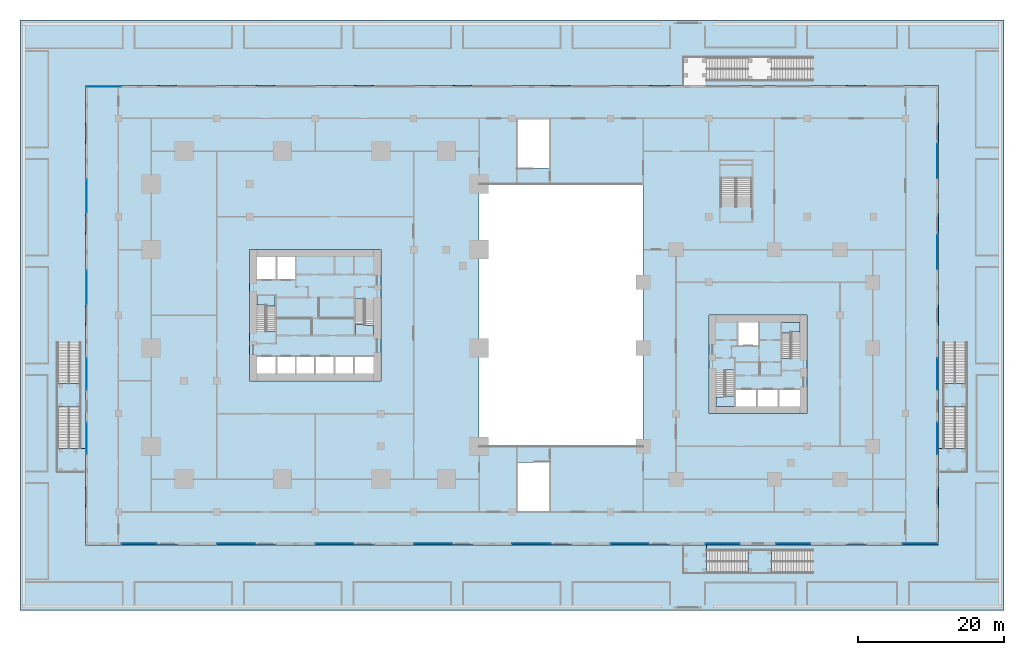
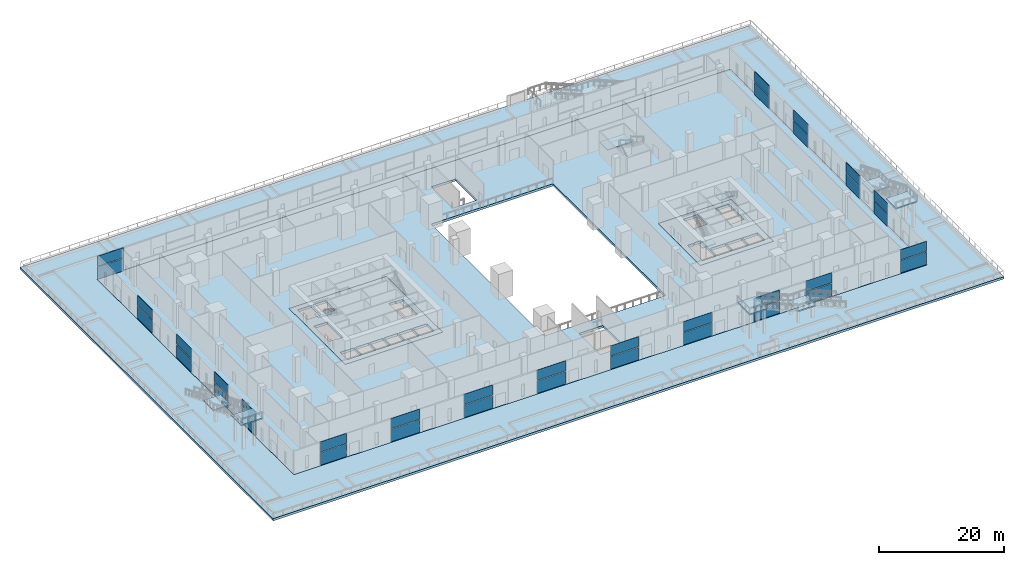
# One storey, part 25 of 49: 36 plates, 15 slabs, 26 elements without a shape of their own.
"""IFC4 building model written with IfcOpenShell, lengths in metres."""

from ifc_helpers import new_model, si_unit, direction, frame, origin, origin_2d, place, context, subcontext, project, spatial, polyline, rectangle, outline, extrude, material, layer, layer_set, type_object, element, aggregate, save


model = new_model("IFC4")

# Units and contexts
model_context = context("Model", 3, precision=1e-05, world=origin(), true_north=direction((0.0, 1.0)))
body_context = subcontext(model_context, "Body", "Model", "MODEL_VIEW")
ifc_project = project(units=[si_unit("LENGTHUNIT", "METRE"), si_unit("AREAUNIT", "SQUARE_METRE"), si_unit("VOLUMEUNIT", "CUBIC_METRE"), si_unit("PLANEANGLEUNIT", "RADIAN"), si_unit("MASSUNIT", "GRAM", prefix="KILO")], contexts=[model_context])

# Site, building, storey
site_placement = place(None, origin())
site = spatial("IfcSite", under=ifc_project, at=site_placement, CompositionType="ELEMENT")
building_placement = place(site_placement, origin())
building = spatial("IfcBuilding", under=site, at=building_placement, Name="Altepetl Exchange Towers", CompositionType="ELEMENT")
storey_placement = place(building_placement, frame((0.0, 0.0, 11.5)))
storey = spatial("IfcBuildingStorey", under=building, at=storey_placement, Name="L02 Exchange podium", CompositionType="ELEMENT", Elevation=11.5)

# Slabs
ifc_material_1 = material(Name="Concrete C40/50", Category="concrete")
ifc_layer_1 = layer(ifc_material_1, 0.5)
ifc_layer_set_1 = layer_set([ifc_layer_1], Name="Concrete C40/50")
slab_type_1 = type_object("IfcSlabType", Name="Core floor slab 500", PredefinedType="FLOOR", material=ifc_layer_set_1)
slab_1_placement = place(storey_placement, frame((0.0, 0.0, -0.5)))
element("IfcSlab", 1, at=slab_1_placement, inside=storey, type_object=slab_type_1, Name="slab:A:L02:core0", PredefinedType="FLOOR", context=body_context, shape_type="SweptSolid", body=[
    extrude(outline(polyline([(40.5, 40.5), (58.5, 40.5), (58.5, 58.5), (40.5, 58.5), (40.5, 40.5)]), holes=[polyline([(41.5, 43.800048828125), (44.06689453125, 43.800048828125), (44.06689453125, 41.5), (41.5, 41.5), (41.5, 43.800048828125)]), polyline([(44.26708984375, 43.800048828125), (46.73291015625, 43.800048828125), (46.73291015625, 41.5), (44.26708984375, 41.5), (44.26708984375, 43.800048828125)]), polyline([(46.93310546875, 43.800048828125), (49.39990234375, 43.800048828125), (49.39990234375, 41.5), (46.93310546875, 41.5), (46.93310546875, 43.800048828125)]), polyline([(52.06689453125, 43.800048828125), (52.06689453125, 41.5), (49.60009765625, 41.5), (49.60009765625, 43.800048828125), (52.06689453125, 43.800048828125)]), polyline([(54.73291015625, 43.800048828125), (54.73291015625, 41.5), (52.26708984375, 41.5), (52.26708984375, 43.800048828125), (54.73291015625, 43.800048828125)]), polyline([(54.93310546875, 43.800048828125), (57.5, 43.800048828125), (57.5, 41.5), (54.93310546875, 41.5), (54.93310546875, 43.800048828125)]), polyline([(55.0, 51.7490234375), (56.300048828125, 51.7490234375), (56.300048828125, 51.64990234375), (57.5, 51.64990234375), (57.5, 46.800048828125), (55.0, 46.800048828125), (55.0, 51.7490234375)]), polyline([(44.0, 47.2509765625), (42.699951171875, 47.2509765625), (42.699951171875, 47.35009765625), (41.5, 47.35009765625), (41.5, 52.199951171875), (44.0, 52.199951171875), (44.0, 47.2509765625)]), polyline([(44.06689453125, 57.5), (44.06689453125, 54.39990234375), (41.5, 54.39990234375), (41.5, 57.5), (44.06689453125, 57.5)]), polyline([(46.73291015625, 57.5), (46.73291015625, 54.39990234375), (44.26708984375, 54.39990234375), (44.26708984375, 57.5), (46.73291015625, 57.5)])]), origin(), (0.0, 0.0, 1.0), 0.5),
])
slab_2_placement = place(storey_placement, frame((0.0, 0.0, -0.5)))
element("IfcSlab", 2, at=slab_2_placement, inside=storey, type_object=slab_type_1, Name="slab:B:L02:core0", PredefinedType="FLOOR", context=body_context, shape_type="SweptSolid", body=[
    extrude(outline(polyline([(103.5, 36.0), (117.0, 36.0), (117.0, 49.5), (103.5, 49.5), (103.5, 36.0)]), holes=[polyline([(107.199951171875, 37.0), (107.199951171875, 39.300048828125), (110.032958984375, 39.300048828125), (110.032958984375, 37.0), (107.199951171875, 37.0)]), polyline([(110.23291015625, 39.300048828125), (112.967041015625, 39.300048828125), (112.967041015625, 37.0), (110.23291015625, 37.0), (110.23291015625, 39.300048828125)]), polyline([(113.1669921875, 39.300048828125), (116.0, 39.300048828125), (116.0, 37.0), (113.1669921875, 37.0), (113.1669921875, 39.300048828125)]), polyline([(107.0, 37.0), (104.5, 37.0), (104.5, 41.85009765625), (105.699951171875, 41.85009765625), (105.699951171875, 41.948974609375), (107.0, 41.948974609375), (107.0, 37.0)]), polyline([(116.0, 48.5), (116.0, 43.64990234375), (114.800048828125, 43.64990234375), (114.800048828125, 43.551025390625), (113.5, 43.551025390625), (113.5, 48.5), (116.0, 48.5)]), polyline([(107.532958984375, 48.5), (110.26708984375, 48.5), (110.26708984375, 45.39990234375), (107.532958984375, 45.39990234375), (107.532958984375, 48.5)])]), origin(), (0.0, 0.0, 1.0), 0.5),
])

# Stair, slabs
ifc_material_2 = material(Name="Reinforced concrete C35/45", Category="concrete")
stair_type_1 = type_object("IfcStairType", Name="Exit garden steps 3200", PredefinedType="TWO_STRAIGHT_RUN_STAIR", material=ifc_material_2)
stair_1_placement = place(storey_placement, origin())
stair_1 = element("IfcStair", 3, at=stair_1_placement, inside=storey, type_object=stair_type_1, Name="ST-G9 exit garden steps", PredefinedType="TWO_STRAIGHT_RUN_STAIR")
ifc_layer_2 = layer(ifc_material_2, 0.25)
ifc_layer_set_2 = layer_set([ifc_layer_2], Name="Reinforced concrete C35/45")
slab_type_2 = type_object("IfcSlabType", Name="Garden steps landing 250", PredefinedType="LANDING", material=ifc_layer_set_2)
slab_3_placement = place(storey_placement, frame((0.0, 0.0, 4.75)))
slab_3 = element("IfcSlab", 4, at=slab_3_placement, type_object=slab_type_2, Name="ST-G9 landing 1", PredefinedType="LANDING", context=body_context, shape_type="SweptSolid", body=[
    extrude(outline(polyline([(100.0, 18.0), (103.199951171875, 18.0), (103.199951171875, 14.10009765625), (100.0, 14.10009765625), (100.0, 18.0)])), origin(), (0.0, 0.0, 1.0), 0.25),
])
slab_4_placement = place(storey_placement, frame((0.0, 0.0, 2.25)))
slab_4 = element("IfcSlab", 5, at=slab_4_placement, type_object=slab_type_2, Name="ST-G9 landing 2", PredefinedType="LANDING", context=body_context, shape_type="SweptSolid", body=[
    extrude(outline(polyline([(108.89990234375, 17.300048828125), (112.10009765625, 17.300048828125), (112.10009765625, 14.10009765625), (108.89990234375, 14.10009765625), (108.89990234375, 17.300048828125)])), origin(), (0.0, 0.0, 1.0), 0.25),
])
aggregate(stair_1, [slab_3, slab_4])

stair_2_placement = place(storey_placement, origin())
stair_2 = element("IfcStair", 6, at=stair_2_placement, inside=storey, type_object=stair_type_1, Name="ST-G15 exit garden steps", PredefinedType="TWO_STRAIGHT_RUN_STAIR")
slab_5_placement = place(storey_placement, frame((0.0, 0.0, 4.75)))
slab_5 = element("IfcSlab", 7, at=slab_5_placement, type_object=slab_type_2, Name="ST-G15 landing 1", PredefinedType="LANDING", context=body_context, shape_type="SweptSolid", body=[
    extrude(outline(polyline([(18.0, 28.0), (18.0, 31.199951171875), (14.10009765625, 31.199951171875), (14.10009765625, 28.0), (18.0, 28.0)])), origin(), (0.0, 0.0, 1.0), 0.25),
])
slab_6_placement = place(storey_placement, frame((0.0, 0.0, 2.25)))
slab_6 = element("IfcSlab", 8, at=slab_6_placement, type_object=slab_type_2, Name="ST-G15 landing 2", PredefinedType="LANDING", context=body_context, shape_type="SweptSolid", body=[
    extrude(outline(polyline([(17.300048828125, 36.89990234375), (17.300048828125, 40.10009765625), (14.10009765625, 40.10009765625), (14.10009765625, 36.89990234375), (17.300048828125, 36.89990234375)])), origin(), (0.0, 0.0, 1.0), 0.25),
])
aggregate(stair_2, [slab_5, slab_6])

stair_3_placement = place(storey_placement, origin())
stair_3 = element("IfcStair", 9, at=stair_3_placement, inside=storey, type_object=stair_type_1, Name="ST-G16 exit garden steps", PredefinedType="TWO_STRAIGHT_RUN_STAIR")
slab_7_placement = place(storey_placement, frame((0.0, 0.0, 4.75)))
slab_7 = element("IfcSlab", 10, at=slab_7_placement, type_object=slab_type_2, Name="ST-G16 landing 1", PredefinedType="LANDING", context=body_context, shape_type="SweptSolid", body=[
    extrude(outline(polyline([(135.0, 28.0), (135.0, 31.199951171875), (138.89990234375, 31.199951171875), (138.89990234375, 28.0), (135.0, 28.0)])), origin(), (0.0, 0.0, 1.0), 0.25),
])
slab_8_placement = place(storey_placement, frame((0.0, 0.0, 2.25)))
slab_8 = element("IfcSlab", 11, at=slab_8_placement, type_object=slab_type_2, Name="ST-G16 landing 2", PredefinedType="LANDING", context=body_context, shape_type="SweptSolid", body=[
    extrude(outline(polyline([(135.699951171875, 36.89990234375), (135.699951171875, 40.10009765625), (138.89990234375, 40.10009765625), (138.89990234375, 36.89990234375), (135.699951171875, 36.89990234375)])), origin(), (0.0, 0.0, 1.0), 0.25),
])
aggregate(stair_3, [slab_7, slab_8])

# Curtain wall, plates
ifc_material_3 = material(Name="Aluminium 6063-T6 glazing", Category="aluminium")
curtain_wall_type = type_object("IfcCurtainWallType", Name="Podium storefront system", PredefinedType="NOTDEFINED", material=ifc_material_3)
curtain_wall_1_placement = place(storey_placement, origin())
curtain_wall_1 = element("IfcCurtainWall", 12, at=curtain_wall_1_placement, inside=storey, type_object=curtain_wall_type, Name="CW5 run", PredefinedType="NOTDEFINED")
ifc_material_4 = material(Name="Glass 8-16-8 toughened", Category="glass")
ifc_layer_3 = layer(ifc_material_4, 0.031982421875)
ifc_layer_set_3 = layer_set([ifc_layer_3], Name="Glass 8-16-8 toughened")
plate_type = type_object("IfcPlateType", Name="Glass panel 32 storefront", PredefinedType="CURTAIN_PANEL", material=ifc_layer_set_3)
plate_1_placement = place(storey_placement, frame((25.387451171875, 18.14990234375, 0.0)))
plate_1 = element("IfcPlate", 13, at=plate_1_placement, type_object=plate_type, Name="GP4 panel", PredefinedType="CURTAIN_PANEL", context=body_context, shape_type="SweptSolid", body=[
    extrude(rectangle(XDim=4.804931640625, YDim=0.031982421875, at=origin_2d()), origin(), (0.0, 0.0, 1.0), 2.429931640625),
])
plate_2_placement = place(storey_placement, frame((25.387451171875, 18.14990234375, 2.570068359375)))
plate_2 = element("IfcPlate", 14, at=plate_2_placement, type_object=plate_type, Name="GP4 panel", PredefinedType="CURTAIN_PANEL", context=body_context, shape_type="SweptSolid", body=[
    extrude(rectangle(XDim=4.804931640625, YDim=0.031982421875, at=origin_2d()), origin(), (0.0, 0.0, 1.0), 1.97998046875),
])
aggregate(curtain_wall_1, [plate_1, plate_2])

curtain_wall_2_placement = place(storey_placement, origin())
curtain_wall_2 = element("IfcCurtainWall", 15, at=curtain_wall_2_placement, inside=storey, type_object=curtain_wall_type, Name="CW5 run", PredefinedType="NOTDEFINED")
plate_3_placement = place(storey_placement, frame((38.675048828125, 18.14990234375, 0.0)))
plate_3 = element("IfcPlate", 16, at=plate_3_placement, type_object=plate_type, Name="GP4 panel", PredefinedType="CURTAIN_PANEL", context=body_context, shape_type="SweptSolid", body=[
    extrude(rectangle(XDim=5.22998046875, YDim=0.031982421875, at=origin_2d()), origin(), (0.0, 0.0, 1.0), 2.429931640625),
])
plate_4_placement = place(storey_placement, frame((38.675048828125, 18.14990234375, 2.570068359375)))
plate_4 = element("IfcPlate", 17, at=plate_4_placement, type_object=plate_type, Name="GP4 panel", PredefinedType="CURTAIN_PANEL", context=body_context, shape_type="SweptSolid", body=[
    extrude(rectangle(XDim=5.22998046875, YDim=0.031982421875, at=origin_2d()), origin(), (0.0, 0.0, 1.0), 1.97998046875),
])
aggregate(curtain_wall_2, [plate_3, plate_4])

curtain_wall_3_placement = place(storey_placement, origin())
curtain_wall_3 = element("IfcCurtainWall", 18, at=curtain_wall_3_placement, inside=storey, type_object=curtain_wall_type, Name="CW5 run", PredefinedType="NOTDEFINED")
plate_5_placement = place(storey_placement, frame((52.175048828125, 18.14990234375, 0.0)))
plate_5 = element("IfcPlate", 19, at=plate_5_placement, type_object=plate_type, Name="GP4 panel", PredefinedType="CURTAIN_PANEL", context=body_context, shape_type="SweptSolid", body=[
    extrude(rectangle(XDim=5.22998046875, YDim=0.031982421875, at=origin_2d()), origin(), (0.0, 0.0, 1.0), 2.429931640625),
])
plate_6_placement = place(storey_placement, frame((52.175048828125, 18.14990234375, 2.570068359375)))
plate_6 = element("IfcPlate", 20, at=plate_6_placement, type_object=plate_type, Name="GP4 panel", PredefinedType="CURTAIN_PANEL", context=body_context, shape_type="SweptSolid", body=[
    extrude(rectangle(XDim=5.22998046875, YDim=0.031982421875, at=origin_2d()), origin(), (0.0, 0.0, 1.0), 1.97998046875),
])
aggregate(curtain_wall_3, [plate_5, plate_6])

curtain_wall_4_placement = place(storey_placement, origin())
curtain_wall_4 = element("IfcCurtainWall", 21, at=curtain_wall_4_placement, inside=storey, type_object=curtain_wall_type, Name="CW5 run", PredefinedType="NOTDEFINED")
plate_7_placement = place(storey_placement, frame((65.675048828125, 18.14990234375, 0.0)))
plate_7 = element("IfcPlate", 22, at=plate_7_placement, type_object=plate_type, Name="GP4 panel", PredefinedType="CURTAIN_PANEL", context=body_context, shape_type="SweptSolid", body=[
    extrude(rectangle(XDim=5.22998046875, YDim=0.031982421875, at=origin_2d()), origin(), (0.0, 0.0, 1.0), 2.429931640625),
])
plate_8_placement = place(storey_placement, frame((65.675048828125, 18.14990234375, 2.570068359375)))
plate_8 = element("IfcPlate", 23, at=plate_8_placement, type_object=plate_type, Name="GP4 panel", PredefinedType="CURTAIN_PANEL", context=body_context, shape_type="SweptSolid", body=[
    extrude(rectangle(XDim=5.22998046875, YDim=0.031982421875, at=origin_2d()), origin(), (0.0, 0.0, 1.0), 1.97998046875),
])
aggregate(curtain_wall_4, [plate_7, plate_8])

curtain_wall_5_placement = place(storey_placement, origin())
curtain_wall_5 = element("IfcCurtainWall", 24, at=curtain_wall_5_placement, inside=storey, type_object=curtain_wall_type, Name="CW5 run", PredefinedType="NOTDEFINED")
plate_9_placement = place(storey_placement, frame((79.175048828125, 18.14990234375, 0.0)))
plate_9 = element("IfcPlate", 25, at=plate_9_placement, type_object=plate_type, Name="GP4 panel", PredefinedType="CURTAIN_PANEL", context=body_context, shape_type="SweptSolid", body=[
    extrude(rectangle(XDim=5.22998046875, YDim=0.031982421875, at=origin_2d()), origin(), (0.0, 0.0, 1.0), 2.429931640625),
])
plate_10_placement = place(storey_placement, frame((79.175048828125, 18.14990234375, 2.570068359375)))
plate_10 = element("IfcPlate", 26, at=plate_10_placement, type_object=plate_type, Name="GP4 panel", PredefinedType="CURTAIN_PANEL", context=body_context, shape_type="SweptSolid", body=[
    extrude(rectangle(XDim=5.22998046875, YDim=0.031982421875, at=origin_2d()), origin(), (0.0, 0.0, 1.0), 1.97998046875),
])
aggregate(curtain_wall_5, [plate_9, plate_10])

curtain_wall_6_placement = place(storey_placement, origin())
curtain_wall_6 = element("IfcCurtainWall", 27, at=curtain_wall_6_placement, inside=storey, type_object=curtain_wall_type, Name="CW5 run", PredefinedType="NOTDEFINED")
plate_11_placement = place(storey_placement, frame((92.675048828125, 18.14990234375, 0.0)))
plate_11 = element("IfcPlate", 28, at=plate_11_placement, type_object=plate_type, Name="GP4 panel", PredefinedType="CURTAIN_PANEL", context=body_context, shape_type="SweptSolid", body=[
    extrude(rectangle(XDim=5.22998046875, YDim=0.031982421875, at=origin_2d()), origin(), (0.0, 0.0, 1.0), 2.429931640625),
])
plate_12_placement = place(storey_placement, frame((92.675048828125, 18.14990234375, 2.570068359375)))
plate_12 = element("IfcPlate", 29, at=plate_12_placement, type_object=plate_type, Name="GP4 panel", PredefinedType="CURTAIN_PANEL", context=body_context, shape_type="SweptSolid", body=[
    extrude(rectangle(XDim=5.22998046875, YDim=0.031982421875, at=origin_2d()), origin(), (0.0, 0.0, 1.0), 1.97998046875),
])
aggregate(curtain_wall_6, [plate_11, plate_12])

curtain_wall_7_placement = place(storey_placement, origin())
curtain_wall_7 = element("IfcCurtainWall", 30, at=curtain_wall_7_placement, inside=storey, type_object=curtain_wall_type, Name="CW5 run", PredefinedType="NOTDEFINED")
plate_13_placement = place(storey_placement, frame((105.409912109375, 18.14990234375, 0.0)))
plate_13 = element("IfcPlate", 31, at=plate_13_placement, type_object=plate_type, Name="GP4 panel", PredefinedType="CURTAIN_PANEL", context=body_context, shape_type="SweptSolid", body=[
    extrude(rectangle(XDim=4.719970703125, YDim=0.031982421875, at=origin_2d()), origin(), (0.0, 0.0, 1.0), 2.429931640625),
])
plate_14_placement = place(storey_placement, frame((105.409912109375, 18.14990234375, 2.570068359375)))
plate_14 = element("IfcPlate", 32, at=plate_14_placement, type_object=plate_type, Name="GP4 panel", PredefinedType="CURTAIN_PANEL", context=body_context, shape_type="SweptSolid", body=[
    extrude(rectangle(XDim=4.719970703125, YDim=0.031982421875, at=origin_2d()), origin(), (0.0, 0.0, 1.0), 1.97998046875),
])
aggregate(curtain_wall_7, [plate_13, plate_14])

curtain_wall_8_placement = place(storey_placement, origin())
curtain_wall_8 = element("IfcCurtainWall", 33, at=curtain_wall_8_placement, inside=storey, type_object=curtain_wall_type, Name="CW5 run", PredefinedType="NOTDEFINED")
plate_15_placement = place(storey_placement, frame((115.090087890625, 18.14990234375, 0.0)))
plate_15 = element("IfcPlate", 34, at=plate_15_placement, type_object=plate_type, Name="GP4 panel", PredefinedType="CURTAIN_PANEL", context=body_context, shape_type="SweptSolid", body=[
    extrude(rectangle(XDim=4.719970703125, YDim=0.031982421875, at=origin_2d()), origin(), (0.0, 0.0, 1.0), 2.429931640625),
])
plate_16_placement = place(storey_placement, frame((115.090087890625, 18.14990234375, 2.570068359375)))
plate_16 = element("IfcPlate", 35, at=plate_16_placement, type_object=plate_type, Name="GP4 panel", PredefinedType="CURTAIN_PANEL", context=body_context, shape_type="SweptSolid", body=[
    extrude(rectangle(XDim=4.719970703125, YDim=0.031982421875, at=origin_2d()), origin(), (0.0, 0.0, 1.0), 1.97998046875),
])
aggregate(curtain_wall_8, [plate_15, plate_16])

curtain_wall_9_placement = place(storey_placement, origin())
curtain_wall_9 = element("IfcCurtainWall", 36, at=curtain_wall_9_placement, inside=storey, type_object=curtain_wall_type, Name="CW5 run", PredefinedType="NOTDEFINED")
plate_17_placement = place(storey_placement, frame((132.53759765625, 18.14990234375, 0.0)))
plate_17 = element("IfcPlate", 37, at=plate_17_placement, type_object=plate_type, Name="GP4 panel", PredefinedType="CURTAIN_PANEL", context=body_context, shape_type="SweptSolid", body=[
    extrude(rectangle(XDim=4.804931640625, YDim=0.031982421875, at=origin_2d()), origin(), (0.0, 0.0, 1.0), 2.429931640625),
])
plate_18_placement = place(storey_placement, frame((132.53759765625, 18.14990234375, 2.570068359375)))
plate_18 = element("IfcPlate", 38, at=plate_18_placement, type_object=plate_type, Name="GP4 panel", PredefinedType="CURTAIN_PANEL", context=body_context, shape_type="SweptSolid", body=[
    extrude(rectangle(XDim=4.804931640625, YDim=0.031982421875, at=origin_2d()), origin(), (0.0, 0.0, 1.0), 1.97998046875),
])
aggregate(curtain_wall_9, [plate_17, plate_18])

curtain_wall_10_placement = place(storey_placement, origin())
curtain_wall_10 = element("IfcCurtainWall", 39, at=curtain_wall_10_placement, inside=storey, type_object=curtain_wall_type, Name="CW5 run", PredefinedType="NOTDEFINED")
plate_19_placement = place(storey_placement, frame((134.85009765625, 32.594970703125, 0.0), z_axis=(0.0, 0.0, 1.0), x_axis=(0.0, 1.0, 0.0)))
plate_19 = element("IfcPlate", 40, at=plate_19_placement, type_object=plate_type, Name="GP4 panel", PredefinedType="CURTAIN_PANEL", context=body_context, shape_type="SweptSolid", body=[
    extrude(rectangle(XDim=4.31005859375, YDim=0.031982421875, at=origin_2d()), origin(), (0.0, 0.0, 1.0), 2.429931640625),
])
plate_20_placement = place(storey_placement, frame((134.85009765625, 32.594970703125, 2.570068359375), z_axis=(0.0, 0.0, 1.0), x_axis=(0.0, 1.0, 0.0)))
plate_20 = element("IfcPlate", 41, at=plate_20_placement, type_object=plate_type, Name="GP4 panel", PredefinedType="CURTAIN_PANEL", context=body_context, shape_type="SweptSolid", body=[
    extrude(rectangle(XDim=4.31005859375, YDim=0.031982421875, at=origin_2d()), origin(), (0.0, 0.0, 1.0), 1.97998046875),
])
aggregate(curtain_wall_10, [plate_19, plate_20])

curtain_wall_11_placement = place(storey_placement, origin())
curtain_wall_11 = element("IfcCurtainWall", 42, at=curtain_wall_11_placement, inside=storey, type_object=curtain_wall_type, Name="CW5 run", PredefinedType="NOTDEFINED")
plate_21_placement = place(storey_placement, frame((134.85009765625, 41.455078125, 0.0), z_axis=(0.0, 0.0, 1.0), x_axis=(0.0, 1.0, 0.0)))
plate_21 = element("IfcPlate", 43, at=plate_21_placement, type_object=plate_type, Name="GP4 panel", PredefinedType="CURTAIN_PANEL", context=body_context, shape_type="SweptSolid", body=[
    extrude(rectangle(XDim=4.31005859375, YDim=0.031982421875, at=origin_2d()), origin(), (0.0, 0.0, 1.0), 2.429931640625),
])
plate_22_placement = place(storey_placement, frame((134.85009765625, 41.455078125, 2.570068359375), z_axis=(0.0, 0.0, 1.0), x_axis=(0.0, 1.0, 0.0)))
plate_22 = element("IfcPlate", 44, at=plate_22_placement, type_object=plate_type, Name="GP4 panel", PredefinedType="CURTAIN_PANEL", context=body_context, shape_type="SweptSolid", body=[
    extrude(rectangle(XDim=4.31005859375, YDim=0.031982421875, at=origin_2d()), origin(), (0.0, 0.0, 1.0), 1.97998046875),
])
aggregate(curtain_wall_11, [plate_21, plate_22])

curtain_wall_12_placement = place(storey_placement, origin())
curtain_wall_12 = element("IfcCurtainWall", 45, at=curtain_wall_12_placement, inside=storey, type_object=curtain_wall_type, Name="CW5 run", PredefinedType="NOTDEFINED")
plate_23_placement = place(storey_placement, frame((134.85009765625, 58.175048828125, 0.0), z_axis=(0.0, 0.0, 1.0), x_axis=(0.0, 1.0, 0.0)))
plate_23 = element("IfcPlate", 46, at=plate_23_placement, type_object=plate_type, Name="GP4 panel", PredefinedType="CURTAIN_PANEL", context=body_context, shape_type="SweptSolid", body=[
    extrude(rectangle(XDim=4.72998046875, YDim=0.031982421875, at=origin_2d()), origin(), (0.0, 0.0, 1.0), 2.429931640625),
])
plate_24_placement = place(storey_placement, frame((134.85009765625, 58.175048828125, 2.570068359375), z_axis=(0.0, 0.0, 1.0), x_axis=(0.0, 1.0, 0.0)))
plate_24 = element("IfcPlate", 47, at=plate_24_placement, type_object=plate_type, Name="GP4 panel", PredefinedType="CURTAIN_PANEL", context=body_context, shape_type="SweptSolid", body=[
    extrude(rectangle(XDim=4.72998046875, YDim=0.031982421875, at=origin_2d()), origin(), (0.0, 0.0, 1.0), 1.97998046875),
])
aggregate(curtain_wall_12, [plate_23, plate_24])

curtain_wall_13_placement = place(storey_placement, origin())
curtain_wall_13 = element("IfcCurtainWall", 48, at=curtain_wall_13_placement, inside=storey, type_object=curtain_wall_type, Name="CW5 run", PredefinedType="NOTDEFINED")
plate_25_placement = place(storey_placement, frame((134.85009765625, 70.637451171875, 0.0), z_axis=(0.0, 0.0, 1.0), x_axis=(0.0, 1.0, 0.0)))
plate_25 = element("IfcPlate", 49, at=plate_25_placement, type_object=plate_type, Name="GP4 panel", PredefinedType="CURTAIN_PANEL", context=body_context, shape_type="SweptSolid", body=[
    extrude(rectangle(XDim=4.705078125, YDim=0.031982421875, at=origin_2d()), origin(), (0.0, 0.0, 1.0), 2.429931640625),
])
plate_26_placement = place(storey_placement, frame((134.85009765625, 70.637451171875, 2.570068359375), z_axis=(0.0, 0.0, 1.0), x_axis=(0.0, 1.0, 0.0)))
plate_26 = element("IfcPlate", 50, at=plate_26_placement, type_object=plate_type, Name="GP4 panel", PredefinedType="CURTAIN_PANEL", context=body_context, shape_type="SweptSolid", body=[
    extrude(rectangle(XDim=4.705078125, YDim=0.031982421875, at=origin_2d()), origin(), (0.0, 0.0, 1.0), 1.97998046875),
])
aggregate(curtain_wall_13, [plate_25, plate_26])

curtain_wall_14_placement = place(storey_placement, origin())
curtain_wall_14 = element("IfcCurtainWall", 51, at=curtain_wall_14_placement, inside=storey, type_object=curtain_wall_type, Name="CW5 run", PredefinedType="NOTDEFINED")
plate_27_placement = place(storey_placement, frame((20.46240234375, 80.85009765625, 0.0), z_axis=(0.0, 0.0, 1.0), x_axis=(-1.0, 0.0, 0.0)))
plate_27 = element("IfcPlate", 52, at=plate_27_placement, type_object=plate_type, Name="GP4 panel", PredefinedType="CURTAIN_PANEL", context=body_context, shape_type="SweptSolid", body=[
    extrude(rectangle(XDim=4.804931640625, YDim=0.031982421875, at=origin_2d()), origin(), (0.0, 0.0, 1.0), 2.429931640625),
])
plate_28_placement = place(storey_placement, frame((20.46240234375, 80.85009765625, 2.570068359375), z_axis=(0.0, 0.0, 1.0), x_axis=(-1.0, 0.0, 0.0)))
plate_28 = element("IfcPlate", 53, at=plate_28_placement, type_object=plate_type, Name="GP4 panel", PredefinedType="CURTAIN_PANEL", context=body_context, shape_type="SweptSolid", body=[
    extrude(rectangle(XDim=4.804931640625, YDim=0.031982421875, at=origin_2d()), origin(), (0.0, 0.0, 1.0), 1.97998046875),
])
aggregate(curtain_wall_14, [plate_27, plate_28])

curtain_wall_15_placement = place(storey_placement, origin())
curtain_wall_15 = element("IfcCurtainWall", 54, at=curtain_wall_15_placement, inside=storey, type_object=curtain_wall_type, Name="CW5 run", PredefinedType="NOTDEFINED")
plate_29_placement = place(storey_placement, frame((18.14990234375, 65.8125, 0.0), z_axis=(0.0, 0.0, 1.0), x_axis=(0.0, -1.0, 0.0)))
plate_29 = element("IfcPlate", 55, at=plate_29_placement, type_object=plate_type, Name="GP4 panel", PredefinedType="CURTAIN_PANEL", context=body_context, shape_type="SweptSolid", body=[
    extrude(rectangle(XDim=4.705078125, YDim=0.031982421875, at=origin_2d()), origin(), (0.0, 0.0, 1.0), 2.429931640625),
])
plate_30_placement = place(storey_placement, frame((18.14990234375, 65.8125, 2.570068359375), z_axis=(0.0, 0.0, 1.0), x_axis=(0.0, -1.0, 0.0)))
plate_30 = element("IfcPlate", 56, at=plate_30_placement, type_object=plate_type, Name="GP4 panel", PredefinedType="CURTAIN_PANEL", context=body_context, shape_type="SweptSolid", body=[
    extrude(rectangle(XDim=4.705078125, YDim=0.031982421875, at=origin_2d()), origin(), (0.0, 0.0, 1.0), 1.97998046875),
])
aggregate(curtain_wall_15, [plate_29, plate_30])

curtain_wall_16_placement = place(storey_placement, origin())
curtain_wall_16 = element("IfcCurtainWall", 57, at=curtain_wall_16_placement, inside=storey, type_object=curtain_wall_type, Name="CW5 run", PredefinedType="NOTDEFINED")
plate_31_placement = place(storey_placement, frame((18.14990234375, 53.324951171875, 0.0), z_axis=(0.0, 0.0, 1.0), x_axis=(0.0, -1.0, 0.0)))
plate_31 = element("IfcPlate", 58, at=plate_31_placement, type_object=plate_type, Name="GP4 panel", PredefinedType="CURTAIN_PANEL", context=body_context, shape_type="SweptSolid", body=[
    extrude(rectangle(XDim=4.72998046875, YDim=0.031982421875, at=origin_2d()), origin(), (0.0, 0.0, 1.0), 2.429931640625),
])
plate_32_placement = place(storey_placement, frame((18.14990234375, 53.324951171875, 2.570068359375), z_axis=(0.0, 0.0, 1.0), x_axis=(0.0, -1.0, 0.0)))
plate_32 = element("IfcPlate", 59, at=plate_32_placement, type_object=plate_type, Name="GP4 panel", PredefinedType="CURTAIN_PANEL", context=body_context, shape_type="SweptSolid", body=[
    extrude(rectangle(XDim=4.72998046875, YDim=0.031982421875, at=origin_2d()), origin(), (0.0, 0.0, 1.0), 1.97998046875),
])
aggregate(curtain_wall_16, [plate_31, plate_32])

curtain_wall_17_placement = place(storey_placement, origin())
curtain_wall_17 = element("IfcCurtainWall", 60, at=curtain_wall_17_placement, inside=storey, type_object=curtain_wall_type, Name="CW5 run", PredefinedType="NOTDEFINED")
plate_33_placement = place(storey_placement, frame((18.14990234375, 41.455078125, 0.0), z_axis=(0.0, 0.0, 1.0), x_axis=(0.0, -1.0, 0.0)))
plate_33 = element("IfcPlate", 61, at=plate_33_placement, type_object=plate_type, Name="GP4 panel", PredefinedType="CURTAIN_PANEL", context=body_context, shape_type="SweptSolid", body=[
    extrude(rectangle(XDim=4.31005859375, YDim=0.031982421875, at=origin_2d()), origin(), (0.0, 0.0, 1.0), 2.429931640625),
])
plate_34_placement = place(storey_placement, frame((18.14990234375, 41.455078125, 2.570068359375), z_axis=(0.0, 0.0, 1.0), x_axis=(0.0, -1.0, 0.0)))
plate_34 = element("IfcPlate", 62, at=plate_34_placement, type_object=plate_type, Name="GP4 panel", PredefinedType="CURTAIN_PANEL", context=body_context, shape_type="SweptSolid", body=[
    extrude(rectangle(XDim=4.31005859375, YDim=0.031982421875, at=origin_2d()), origin(), (0.0, 0.0, 1.0), 1.97998046875),
])
aggregate(curtain_wall_17, [plate_33, plate_34])

curtain_wall_18_placement = place(storey_placement, origin())
curtain_wall_18 = element("IfcCurtainWall", 63, at=curtain_wall_18_placement, inside=storey, type_object=curtain_wall_type, Name="CW5 run", PredefinedType="NOTDEFINED")
plate_35_placement = place(storey_placement, frame((18.14990234375, 32.594970703125, 0.0), z_axis=(0.0, 0.0, 1.0), x_axis=(0.0, -1.0, 0.0)))
plate_35 = element("IfcPlate", 64, at=plate_35_placement, type_object=plate_type, Name="GP4 panel", PredefinedType="CURTAIN_PANEL", context=body_context, shape_type="SweptSolid", body=[
    extrude(rectangle(XDim=4.31005859375, YDim=0.031982421875, at=origin_2d()), origin(), (0.0, 0.0, 1.0), 2.429931640625),
])
plate_36_placement = place(storey_placement, frame((18.14990234375, 32.594970703125, 2.570068359375), z_axis=(0.0, 0.0, 1.0), x_axis=(0.0, -1.0, 0.0)))
plate_36 = element("IfcPlate", 65, at=plate_36_placement, type_object=plate_type, Name="GP4 panel", PredefinedType="CURTAIN_PANEL", context=body_context, shape_type="SweptSolid", body=[
    extrude(rectangle(XDim=4.31005859375, YDim=0.031982421875, at=origin_2d()), origin(), (0.0, 0.0, 1.0), 1.97998046875),
])
aggregate(curtain_wall_18, [plate_35, plate_36])

# Slabs
ifc_layer_4 = layer(ifc_material_1, 0.449951171875)
ifc_layer_set_4 = layer_set([ifc_layer_4], Name="Concrete C40/50")
slab_type_3 = type_object("IfcSlabType", Name="Green roof slab 450", PredefinedType="ROOF", material=ifc_layer_set_4)
slab_9_placement = place(storey_placement, frame((0.0, 0.0, -0.449951171875)))
element("IfcSlab", 66, at=slab_9_placement, inside=storey, type_object=slab_type_3, Name="slab:P:L02:terrace0", PredefinedType="ROOF", context=body_context, shape_type="SweptSolid", body=[
    extrude(outline(polyline([(9.0, 9.0), (144.0, 9.0), (144.0, 90.0), (9.0, 90.0), (9.0, 9.0)]), holes=[polyline([(135.0, 81.0), (135.0, 18.0), (18.0, 18.0), (18.0, 81.0), (135.0, 81.0)])]), origin(), (0.0, 0.0, 1.0), 0.449951171875),
])
ifc_layer_5 = layer(ifc_material_1, 0.449951171875)
ifc_layer_set_5 = layer_set([ifc_layer_5], Name="Concrete C40/50")
slab_type_4 = type_object("IfcSlabType", Name="Podium flat slab 450", PredefinedType="FLOOR", material=ifc_layer_set_5)
slab_10_placement = place(storey_placement, frame((0.0, 0.0, -0.449951171875)))
element("IfcSlab", 67, at=slab_10_placement, inside=storey, type_object=slab_type_4, Name="slab:P:L02:flat0", PredefinedType="FLOOR", context=body_context, shape_type="SweptSolid", body=[
    extrude(outline(polyline([(135.0, 18.0), (135.0, 81.0), (18.0, 81.0), (18.0, 18.0), (135.0, 18.0)]), holes=[polyline([(103.5, 36.0), (103.5, 49.5), (117.0, 49.5), (117.0, 36.0), (103.5, 36.0)]), polyline([(40.5, 40.5), (40.5, 58.5), (58.5, 58.5), (58.5, 40.5), (40.5, 40.5)]), polyline([(72.0, 31.5), (72.0, 67.5), (94.5, 67.5), (94.5, 31.5), (72.0, 31.5)]), polyline([(81.699951171875, 22.5), (77.199951171875, 22.5), (77.199951171875, 29.300048828125), (81.699951171875, 29.300048828125), (81.699951171875, 22.5)]), polyline([(77.199951171875, 69.699951171875), (77.199951171875, 76.5), (81.699951171875, 76.5), (81.699951171875, 69.699951171875), (77.199951171875, 69.699951171875)])]), origin(), (0.0, 0.0, 1.0), 0.449951171875),
])

# Stair, slab
stair_type_2 = type_object("IfcStairType", Name="Exit half-turn stair 2025", PredefinedType="HALF_TURN_STAIR", material=ifc_material_2)
stair_4_placement = place(storey_placement, origin())
stair_4 = element("IfcStair", 68, at=stair_4_placement, inside=storey, type_object=stair_type_2, Name="ST-P11 stair", PredefinedType="HALF_TURN_STAIR")
ifc_layer_6 = layer(ifc_material_2, 0.199951171875)
ifc_layer_set_6 = layer_set([ifc_layer_6], Name="Reinforced concrete C35/45")
slab_type_5 = type_object("IfcSlabType", Name="Stair landing 200", PredefinedType="LANDING", material=ifc_layer_set_6)
slab_11_placement = place(storey_placement, frame((0.0, 0.0, 2.300048828125)))
slab_11 = element("IfcSlab", 69, at=slab_11_placement, type_object=slab_type_5, Name="ST-P11 landing 1", PredefinedType="LANDING", context=body_context, shape_type="SweptSolid", body=[
    extrude(outline(polyline([(105.0, 68.27001953125), (109.5, 68.27001953125), (109.5, 70.800048828125), (105.0, 70.800048828125), (105.0, 68.27001953125)])), origin(), (0.0, 0.0, 1.0), 0.199951171875),
])
aggregate(stair_4, [slab_11])

stair_type_3 = type_object("IfcStairType", Name="Exit stair 1200 flights dogleg", PredefinedType="HALF_TURN_STAIR", material=ifc_material_1)
stair_5_placement = place(storey_placement, origin())
stair_5 = element("IfcStair", 70, at=stair_5_placement, inside=storey, type_object=stair_type_3, Name="Exit stair 1", PredefinedType="HALF_TURN_STAIR")
ifc_layer_7 = layer(ifc_material_1, 0.199951171875)
ifc_layer_set_7 = layer_set([ifc_layer_7], Name="Concrete C40/50")
slab_type_6 = type_object("IfcSlabType", Name="Stair landing 200 reinforced concrete", PredefinedType="LANDING", material=ifc_layer_set_7)
slab_12_placement = place(storey_placement, frame((0.0, 0.0, 2.300048828125)))
slab_12 = element("IfcSlab", 71, at=slab_12_placement, type_object=slab_type_6, Name="ST-A1a landing 1", PredefinedType="LANDING", context=body_context, shape_type="SweptSolid", body=[
    extrude(outline(polyline([(44.0, 50.7900390625), (42.800048828125, 50.7900390625), (42.800048828125, 50.889892578125), (42.699951171875, 50.889892578125), (42.699951171875, 50.889404296875), (41.5, 50.889404296875), (41.5, 50.889892578125), (41.5, 52.199951171875), (44.0, 52.199951171875), (44.0, 50.889892578125), (44.0, 50.7900390625)])), origin(), (0.0, 0.0, 1.0), 0.199951171875),
])
aggregate(stair_5, [slab_12])

stair_6_placement = place(storey_placement, origin())
stair_6 = element("IfcStair", 72, at=stair_6_placement, inside=storey, type_object=stair_type_3, Name="Exit stair 2", PredefinedType="HALF_TURN_STAIR")
slab_13_placement = place(storey_placement, frame((0.0, 0.0, 2.300048828125)))
slab_13 = element("IfcSlab", 73, at=slab_13_placement, type_object=slab_type_6, Name="ST-A2a landing 1", PredefinedType="LANDING", context=body_context, shape_type="SweptSolid", body=[
    extrude(outline(polyline([(57.5, 46.800048828125), (55.0, 46.800048828125), (55.0, 48.110107421875), (55.0, 48.2099609375), (56.199951171875, 48.2099609375), (56.199951171875, 48.110107421875), (56.300048828125, 48.110107421875), (56.300048828125, 48.110595703125), (57.5, 48.110595703125), (57.5, 48.110107421875), (57.5, 46.800048828125)])), origin(), (0.0, 0.0, 1.0), 0.199951171875),
])
aggregate(stair_6, [slab_13])

stair_7_placement = place(storey_placement, origin())
stair_7 = element("IfcStair", 74, at=stair_7_placement, inside=storey, type_object=stair_type_3, Name="Exit stair 1", PredefinedType="HALF_TURN_STAIR")
slab_14_placement = place(storey_placement, frame((0.0, 0.0, 2.300048828125)))
slab_14 = element("IfcSlab", 75, at=slab_14_placement, type_object=slab_type_6, Name="ST-B1a landing 1", PredefinedType="LANDING", context=body_context, shape_type="SweptSolid", body=[
    extrude(outline(polyline([(107.0, 37.0), (104.5, 37.0), (104.5, 38.31005859375), (104.5, 38.310791015625), (105.699951171875, 38.310791015625), (105.699951171875, 38.31005859375), (105.800048828125, 38.31005859375), (105.800048828125, 38.409912109375), (107.0, 38.409912109375), (107.0, 38.31005859375), (107.0, 37.0)])), origin(), (0.0, 0.0, 1.0), 0.199951171875),
])
aggregate(stair_7, [slab_14])

stair_8_placement = place(storey_placement, origin())
stair_8 = element("IfcStair", 76, at=stair_8_placement, inside=storey, type_object=stair_type_3, Name="Exit stair 2", PredefinedType="HALF_TURN_STAIR")
slab_15_placement = place(storey_placement, frame((0.0, 0.0, 2.300048828125)))
slab_15 = element("IfcSlab", 77, at=slab_15_placement, type_object=slab_type_6, Name="ST-B2a landing 1", PredefinedType="LANDING", context=body_context, shape_type="SweptSolid", body=[
    extrude(outline(polyline([(114.699951171875, 47.090087890625), (113.5, 47.090087890625), (113.5, 47.18994140625), (113.5, 48.5), (116.0, 48.5), (116.0, 47.18994140625), (116.0, 47.189208984375), (114.800048828125, 47.189208984375), (114.800048828125, 47.18994140625), (114.699951171875, 47.18994140625), (114.699951171875, 47.090087890625)])), origin(), (0.0, 0.0, 1.0), 0.199951171875),
])
aggregate(stair_8, [slab_15])

save(model, "model.ifc")
